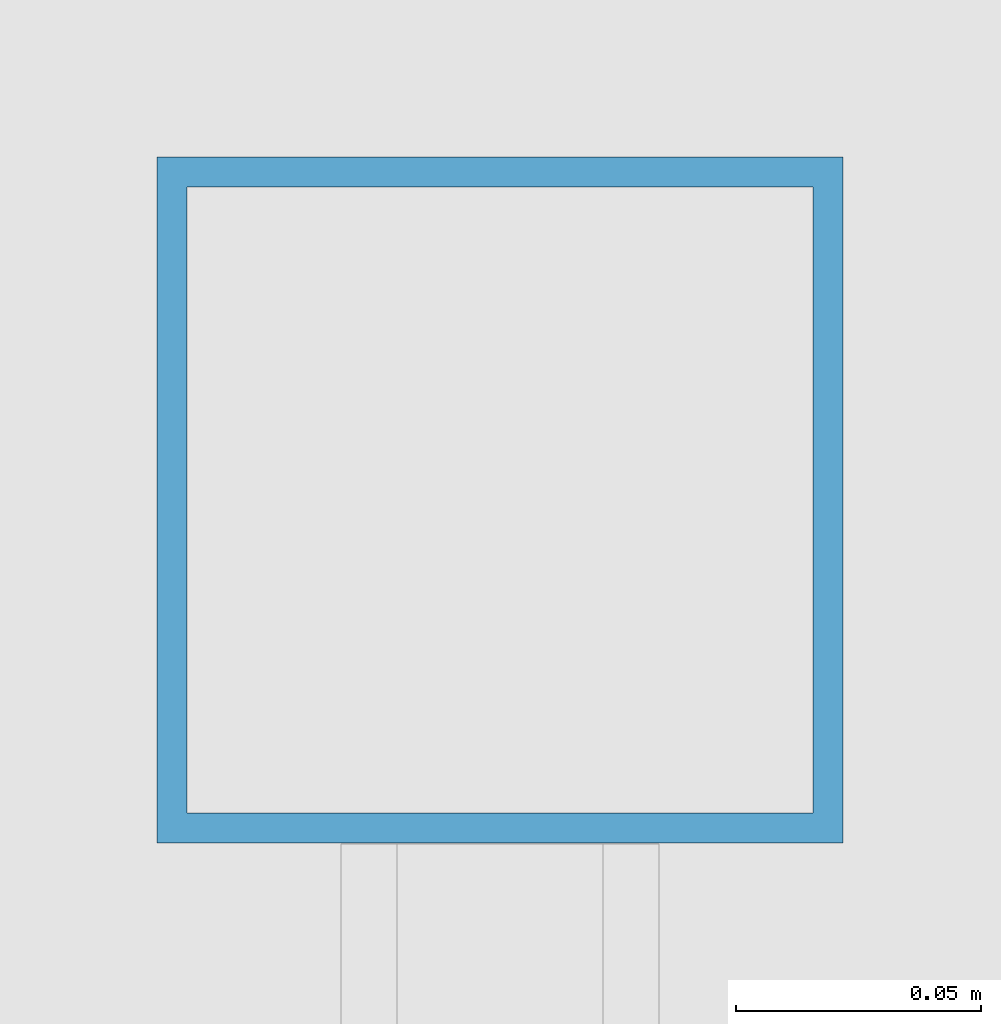
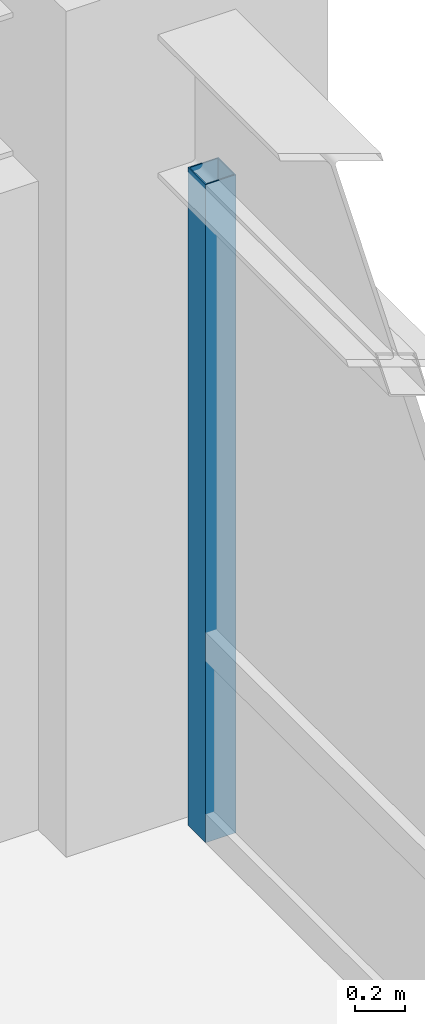
# One storey, part 16 of 32: 1 member, 1 element without a shape of its own.
"""IFC4 building model written with IfcOpenShell, lengths in metres."""

from ifc_helpers import new_model, si_unit, direction, frame, origin, origin_2d, place, context, subcontext, project, spatial, hollow_rectangle, extrude, source, transform, mapped, material, material_profile, profile_set, type_object, element, aggregate, save


model = new_model("IFC4")

# Units and contexts
model_context = context("Model", 3, precision=1e-05, world=origin(), true_north=direction((0.0, 1.0)))
body_context = subcontext(model_context, "Body", "Model", "MODEL_VIEW")
ifc_project = project(units=[si_unit("LENGTHUNIT", "METRE"), si_unit("AREAUNIT", "SQUARE_METRE"), si_unit("VOLUMEUNIT", "CUBIC_METRE"), si_unit("PLANEANGLEUNIT", "RADIAN"), si_unit("MASSUNIT", "GRAM", prefix="KILO")], contexts=[model_context])

# Site, building, storey
site_placement = place(None, origin())
site = spatial("IfcSite", under=ifc_project, at=site_placement, CompositionType="ELEMENT")
building_placement = place(site_placement, origin())
building = spatial("IfcBuilding", under=site, at=building_placement, Name="Khorayat Bourse Tower", CompositionType="ELEMENT")
storey_placement = place(building_placement, frame((0.0, 0.0, 136.5)))
storey = spatial("IfcBuildingStorey", under=building, at=storey_placement, Name="L31", CompositionType="ELEMENT", Elevation=136.5)

# Curtain wall, member
ifc_material = material(Name="Aluminium EN AW-6063 T6", Category="aluminium")
curtain_wall_type = type_object("IfcCurtainWallType", Name="CW-SYS-02", PredefinedType="NOTDEFINED", material=ifc_material)
curtain_wall_placement = place(storey_placement, origin())
curtain_wall = element("IfcCurtainWall", 1, at=curtain_wall_placement, inside=storey, type_object=curtain_wall_type, Name="L31 Curtain Wall CW-L31-E1", PredefinedType="NOTDEFINED")
ifc_material_profile = material_profile(ifc_material, hollow_rectangle(XDim=0.139892578125, YDim=0.139892578125, WallThickness=0.006103515625, at=origin_2d()), Name="ALU 140x140x6")
ifc_profile_set = profile_set([ifc_material_profile], Name="Aluminium EN AW-6063 T6")
member_type = type_object("IfcMemberType", Name="CWM-VERT-140", PredefinedType="MULLION", material=ifc_profile_set)
shared_shape = source(origin(), body_context, "Body", "SweptSolid", [
    extrude(hollow_rectangle(XDim=0.139892578125, YDim=0.139892578125, WallThickness=0.006103515625, at=origin_2d()), origin(), (0.0, 0.0, 1.0), 3.18994140625),
])
member_placement = place(storey_placement, frame((32.0, 27.280029296875, 0.0), z_axis=(0.0, 0.0, 1.0), x_axis=(-1.0, 0.0, 0.0)))
member = element("IfcMember", 2, at=member_placement, type_object=member_type, Name="CW-L31-E1 Vertical Mullion 3", PredefinedType="MULLION", context=body_context, shape_type="MappedRepresentation", body=[
    mapped(shared_shape, transform((0.0, 0.0, 0.0), scale=1.0)),
])
aggregate(curtain_wall, [member])

save(model, "model.ifc")
